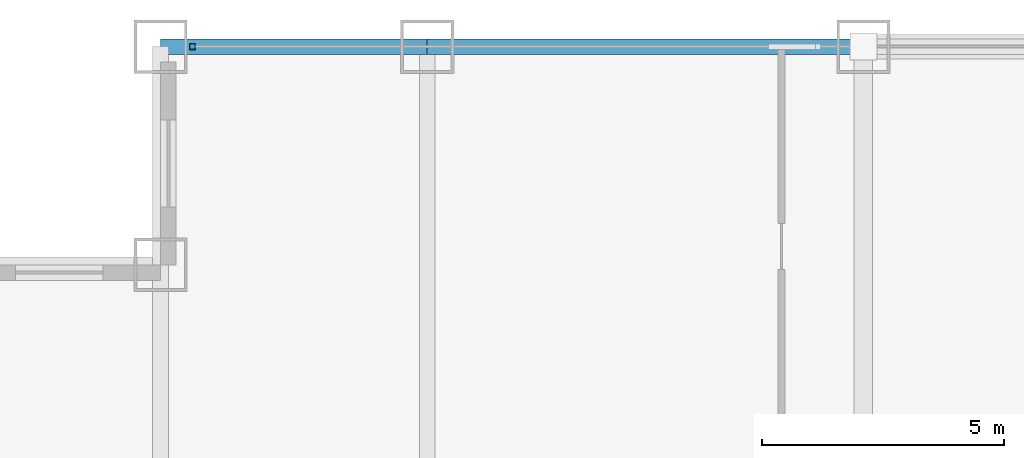
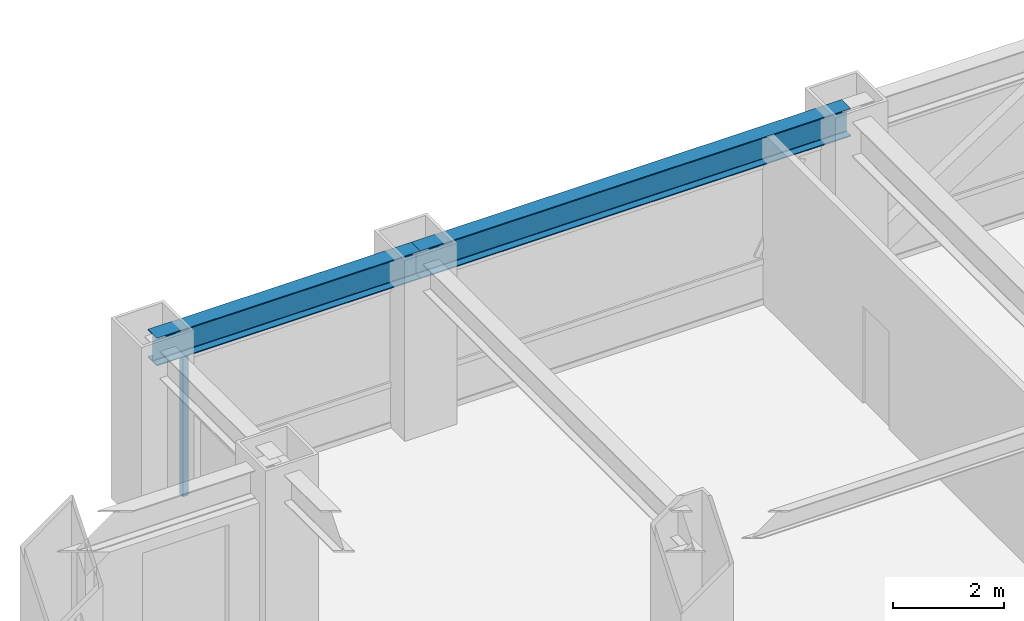
# One storey, part 14 of 24: 2 beams, 1 member, 1 element without a shape of its own.
"""IFC4 building model written with IfcOpenShell, lengths in metres."""

from ifc_helpers import new_model, si_unit, direction, frame, origin, origin_2d, place, context, subcontext, project, spatial, hollow_rectangle, i_section, extrude, source, transform, mapped, material, material_profile, profile_set, type_object, element, aggregate, save


model = new_model("IFC4")

# Units and contexts
model_context = context("Model", 3, precision=1e-05, world=origin(), true_north=direction((0.0, 1.0)))
body_context = subcontext(model_context, "Body", "Model", "MODEL_VIEW")
ifc_project = project(units=[si_unit("LENGTHUNIT", "METRE"), si_unit("AREAUNIT", "SQUARE_METRE"), si_unit("VOLUMEUNIT", "CUBIC_METRE"), si_unit("PLANEANGLEUNIT", "RADIAN"), si_unit("MASSUNIT", "GRAM", prefix="KILO")], contexts=[model_context])

# Site, building, storey
site_placement = place(None, origin())
site = spatial("IfcSite", under=ifc_project, at=site_placement, CompositionType="ELEMENT")
building_placement = place(site_placement, origin())
building = spatial("IfcBuilding", under=site, at=building_placement, Name="Khorayat Bourse Tower", CompositionType="ELEMENT")
storey_placement = place(building_placement, frame((0.0, 0.0, 179.10009765625)))
storey = spatial("IfcBuildingStorey", under=building, at=storey_placement, Name="L41", CompositionType="ELEMENT", Elevation=179.10009765625)

# Beams
ifc_material_1 = material(Name="Steel ASTM A992 Grade 50", Category="steel")
ifc_material_profile_1 = material_profile(ifc_material_1, i_section(OverallWidth=0.324951171875, OverallDepth=0.615966796875, WebThickness=0.013916015625, FlangeThickness=0.021484375, FilletRadius=0.01611328125, at=origin_2d()), Name="W610X174")
ifc_profile_set_1 = profile_set([ifc_material_profile_1], Name="Steel ASTM A992 Grade 50")
beam_type = type_object("IfcBeamType", Name="BM-SPAN-610", PredefinedType="SPANDREL", material=ifc_profile_set_1)
shared_shape_1 = source(origin(), body_context, "Body", "SweptSolid", [
    extrude(i_section(OverallWidth=0.324951171875, OverallDepth=0.615966796875, WebThickness=0.013916015625, FlangeThickness=0.021484375, FilletRadius=0.01611328125, at=origin_2d()), origin(), (0.0, 0.0, 1.0), 5.5),
])
beam_1_placement = place(storey_placement, frame((-25.5, 30.0, 3.471923828125), z_axis=(1.0, 0.0, 0.0), x_axis=(0.0, 1.0, 0.0)))
element("IfcBeam", 1, at=beam_1_placement, inside=storey, type_object=beam_type, Name="L41 BM-SPAN-610 BM-L41-SPN-051", PredefinedType="SPANDREL", context=body_context, shape_type="MappedRepresentation", body=[
    mapped(shared_shape_1, transform((0.0, 0.0, 0.0), scale=1.0)),
])
shared_shape_2 = source(origin(), body_context, "Body", "SweptSolid", [
    extrude(i_section(OverallWidth=0.324951171875, OverallDepth=0.615966796875, WebThickness=0.013916015625, FlangeThickness=0.021484375, FilletRadius=0.01611328125, at=origin_2d()), origin(), (0.0, 0.0, 1.0), 9.0),
])
beam_2_placement = place(storey_placement, frame((-20.0, 30.0, 3.471923828125), z_axis=(1.0, 0.0, 0.0), x_axis=(0.0, 1.0, 0.0)))
element("IfcBeam", 2, at=beam_2_placement, inside=storey, type_object=beam_type, Name="L41 BM-SPAN-610 BM-L41-SPN-050", PredefinedType="SPANDREL", context=body_context, shape_type="MappedRepresentation", body=[
    mapped(shared_shape_2, transform((0.0, 0.0, 0.0), scale=1.0)),
])

# Curtain wall, member
ifc_material_2 = material(Name="Aluminium EN AW-6063 T6", Category="aluminium")
curtain_wall_type = type_object("IfcCurtainWallType", Name="CW-SYS-03", PredefinedType="NOTDEFINED", material=ifc_material_2)
curtain_wall_placement = place(storey_placement, origin())
curtain_wall = element("IfcCurtainWall", 3, at=curtain_wall_placement, inside=storey, type_object=curtain_wall_type, Name="L41 Curtain Wall CW-L41-N1", PredefinedType="NOTDEFINED")
ifc_material_profile_2 = material_profile(ifc_material_2, hollow_rectangle(XDim=0.1201171875, YDim=0.1201171875, WallThickness=0.0048828125, at=origin_2d()), Name="ALU 120x120x5")
ifc_profile_set_2 = profile_set([ifc_material_profile_2], Name="Aluminium EN AW-6063 T6")
member_type = type_object("IfcMemberType", Name="CWM-VERT-120", PredefinedType="MULLION", material=ifc_profile_set_2)
shared_shape_3 = source(origin(), body_context, "Body", "SweptSolid", [
    extrude(hollow_rectangle(XDim=0.1201171875, YDim=0.1201171875, WallThickness=0.0048828125, at=origin_2d()), origin(), (0.0, 0.0, 1.0), 3.1298828125),
])
member_placement = place(storey_placement, frame((-24.840087890625, 30.0, 0.0), z_axis=(0.0, 0.0, 1.0), x_axis=(0.0, 1.0, 0.0)))
member = element("IfcMember", 4, at=member_placement, type_object=member_type, Name="CW-L41-N1 Vertical Mullion 1", PredefinedType="MULLION", context=body_context, shape_type="MappedRepresentation", body=[
    mapped(shared_shape_3, transform((0.0, 0.0, 0.0), scale=1.0)),
])
aggregate(curtain_wall, [member])

save(model, "model.ifc")
